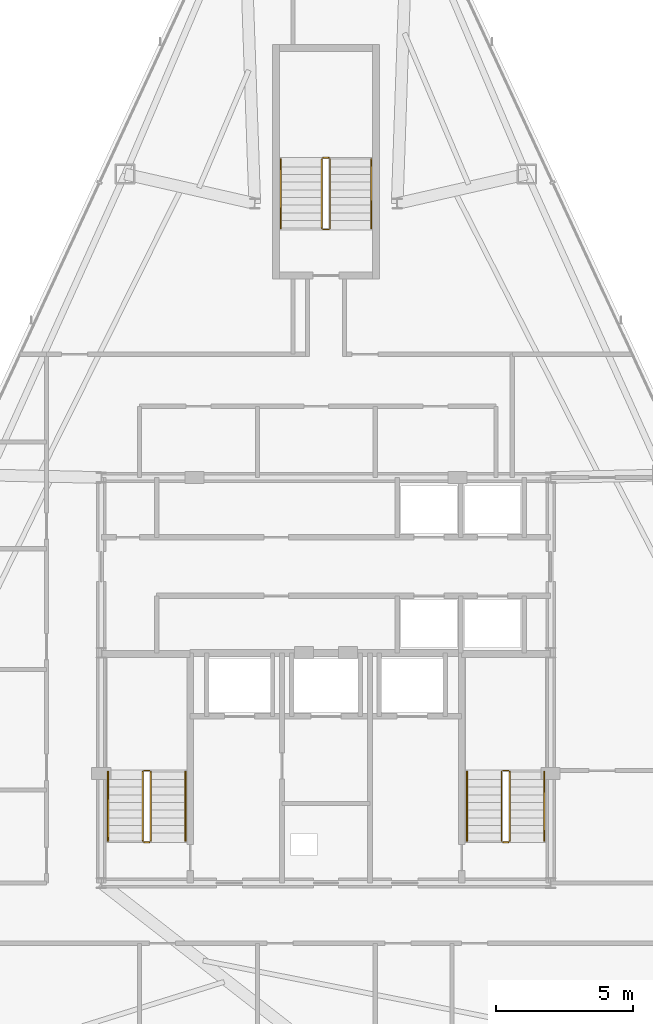
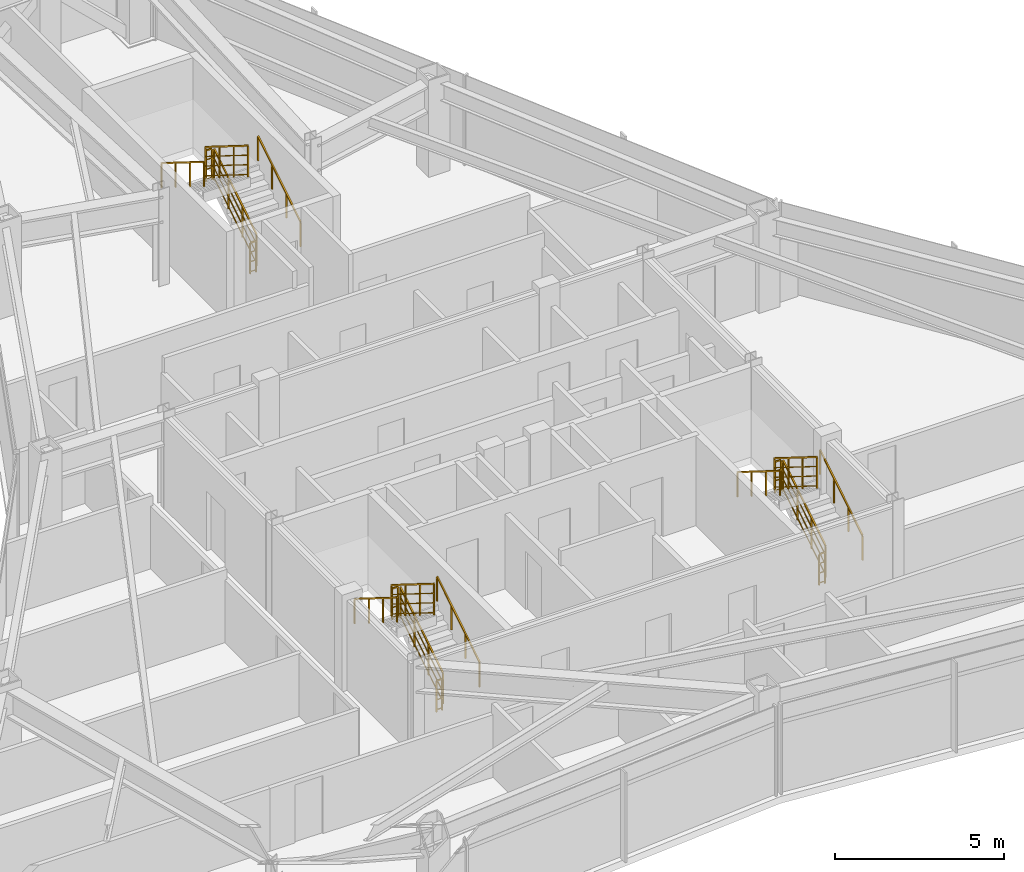
# One storey, part 12 of 12: 18 railings.
"""IFC4 building model written with IfcOpenShell, lengths in metres."""

from ifc_helpers import new_model, si_unit, direction, frame, origin, origin_2d, place, context, subcontext, project, spatial, rectangle, extrude, material, type_object, element, save


model = new_model("IFC4")

# Units and contexts
model_context = context("Model", 3, precision=1e-05, world=origin(), true_north=direction((0.0, 1.0)))
body_context = subcontext(model_context, "Body", "Model", "MODEL_VIEW")
ifc_project = project(units=[si_unit("LENGTHUNIT", "METRE"), si_unit("AREAUNIT", "SQUARE_METRE"), si_unit("VOLUMEUNIT", "CUBIC_METRE"), si_unit("PLANEANGLEUNIT", "RADIAN"), si_unit("MASSUNIT", "GRAM", prefix="KILO")], contexts=[model_context])

# Site, building, storey
site_placement = place(None, origin())
site = spatial("IfcSite", under=ifc_project, at=site_placement, CompositionType="ELEMENT")
building_placement = place(site_placement, origin())
building = spatial("IfcBuilding", under=site, at=building_placement, Name="Varakhsha Concourse Tower", CompositionType="ELEMENT")
storey_placement = place(building_placement, frame((0.0, 0.0, 239.89990234375)))
storey = spatial("IfcBuildingStorey", under=building, at=storey_placement, Name="L68", CompositionType="ELEMENT", Elevation=239.89990234375)

# Railings
ifc_material = material(Name="Brushed Austenitic Stainless Steel AISI 316", Category="steel")
railing_type_1 = type_object("IfcRailingType", Name="RL-STAIR-GUARD-1100", PredefinedType="GUARDRAIL", material=ifc_material)
railing_1_placement = place(storey_placement, frame((33.610107421875, 17.93994140625, 0.175048828125)))
element("IfcRailing", 1, at=railing_1_placement, inside=storey, type_object=railing_type_1, Name="L68 ST1 stair guard 1", PredefinedType="GUARDRAIL", context=body_context, shape_type="SweptSolid", body=[
    extrude(rectangle(XDim=0.048095703125, YDim=0.048095703125, at=origin_2d()), frame((0.0, 0.0, 1.1259765625), z_axis=(0.0, 0.848007534815, 0.529984170421), x_axis=(-1.0, 0.0, 0.0)), (0.0, 0.0, 1.0), 2.9716796875),
    extrude(rectangle(XDim=0.028076171875, YDim=0.028076171875, at=origin_2d()), frame((0.0, 0.0, 0.080078125), z_axis=(0.0, 0.848007534815, 0.529984170421), x_axis=(-1.0, 0.0, 0.0)), (0.0, 0.0, 1.0), 2.9716796875),
    extrude(rectangle(XDim=0.028076171875, YDim=0.028076171875, at=origin_2d()), frame((0.0, 0.0, 0.43701171875), z_axis=(0.0, 0.848007534815, 0.529984170421), x_axis=(-1.0, 0.0, 0.0)), (0.0, 0.0, 1.0), 2.9716796875),
    extrude(rectangle(XDim=0.028076171875, YDim=0.028076171875, at=origin_2d()), frame((0.0, 0.0, 0.781982421875), z_axis=(0.0, 0.848007534815, 0.529984170421), x_axis=(-1.0, 0.0, 0.0)), (0.0, 0.0, 1.0), 2.9716796875),
    extrude(rectangle(XDim=0.0419921875, YDim=0.0419921875, at=origin_2d()), origin(), (0.0, 0.0, 1.0), 1.101806640625),
    extrude(rectangle(XDim=0.0419921875, YDim=0.0419921875, at=origin_2d()), frame((0.0, 0.840087890625, 0.52490234375)), (0.0, 0.0, 1.0), 1.101806640625),
    extrude(rectangle(XDim=0.0419921875, YDim=0.0419921875, at=origin_2d()), frame((0.0, 1.679931640625, 1.050048828125)), (0.0, 0.0, 1.0), 1.101806640625),
    extrude(rectangle(XDim=0.0419921875, YDim=0.0419921875, at=origin_2d()), frame((0.0, 2.52001953125, 1.574951171875)), (0.0, 0.0, 1.0), 1.101806640625),
])
railing_2_placement = place(storey_placement, frame((33.56005859375, 20.510009765625, 1.75)))
element("IfcRailing", 2, at=railing_2_placement, inside=storey, type_object=railing_type_1, Name="L68 ST1 stair guard 2", PredefinedType="GUARDRAIL", context=body_context, shape_type="SweptSolid", body=[
    extrude(rectangle(XDim=0.048095703125, YDim=0.048095703125, at=origin_2d()), frame((0.0, 0.0, 1.1259765625), z_axis=(-1.0, 0.0, 0.0), x_axis=(0.0, -1.0, 0.0)), (0.0, 0.0, 1.0), 0.199951171875),
    extrude(rectangle(XDim=0.028076171875, YDim=0.028076171875, at=origin_2d()), frame((0.0, 0.0, 0.080078125), z_axis=(-1.0, 0.0, 0.0), x_axis=(0.0, -1.0, 0.0)), (0.0, 0.0, 1.0), 0.199951171875),
    extrude(rectangle(XDim=0.028076171875, YDim=0.028076171875, at=origin_2d()), frame((0.0, 0.0, 0.43701171875), z_axis=(-1.0, 0.0, 0.0), x_axis=(0.0, -1.0, 0.0)), (0.0, 0.0, 1.0), 0.199951171875),
    extrude(rectangle(XDim=0.028076171875, YDim=0.028076171875, at=origin_2d()), frame((0.0, 0.0, 0.781982421875), z_axis=(-1.0, 0.0, 0.0), x_axis=(0.0, -1.0, 0.0)), (0.0, 0.0, 1.0), 0.199951171875),
    extrude(rectangle(XDim=0.0419921875, YDim=0.0419921875, at=origin_2d()), origin(), (0.0, 0.0, 1.0), 1.101806640625),
    extrude(rectangle(XDim=0.0419921875, YDim=0.0419921875, at=origin_2d()), frame((-0.199951171875, 0.0, 0.0)), (0.0, 0.0, 1.0), 1.101806640625),
])
railing_3_placement = place(storey_placement, frame((33.31005859375, 20.4599609375, 1.925048828125)))
element("IfcRailing", 3, at=railing_3_placement, inside=storey, type_object=railing_type_1, Name="L68 ST1 stair guard 3", PredefinedType="GUARDRAIL", context=body_context, shape_type="SweptSolid", body=[
    extrude(rectangle(XDim=0.048095703125, YDim=0.048095703125, at=origin_2d()), frame((0.0, 0.0, 1.1259765625), z_axis=(0.0, -0.848007534815, 0.529984170421), x_axis=(1.0, 0.0, 0.0)), (0.0, 0.0, 1.0), 2.9716796875),
    extrude(rectangle(XDim=0.028076171875, YDim=0.028076171875, at=origin_2d()), frame((0.0, 0.0, 0.080078125), z_axis=(0.0, -0.848007534815, 0.529984170421), x_axis=(1.0, 0.0, 0.0)), (0.0, 0.0, 1.0), 2.9716796875),
    extrude(rectangle(XDim=0.028076171875, YDim=0.028076171875, at=origin_2d()), frame((0.0, 0.0, 0.43701171875), z_axis=(0.0, -0.848007534815, 0.529984170421), x_axis=(1.0, 0.0, 0.0)), (0.0, 0.0, 1.0), 2.9716796875),
    extrude(rectangle(XDim=0.028076171875, YDim=0.028076171875, at=origin_2d()), frame((0.0, 0.0, 0.781982421875), z_axis=(0.0, -0.848007534815, 0.529984170421), x_axis=(1.0, 0.0, 0.0)), (0.0, 0.0, 1.0), 2.9716796875),
    extrude(rectangle(XDim=0.0419921875, YDim=0.0419921875, at=origin_2d()), origin(), (0.0, 0.0, 1.0), 1.101806640625),
    extrude(rectangle(XDim=0.0419921875, YDim=0.0419921875, at=origin_2d()), frame((0.0, -0.840087890625, 0.52490234375)), (0.0, 0.0, 1.0), 1.101806640625),
    extrude(rectangle(XDim=0.0419921875, YDim=0.0419921875, at=origin_2d()), frame((0.0, -1.679931640625, 1.050048828125)), (0.0, 0.0, 1.0), 1.101806640625),
    extrude(rectangle(XDim=0.0419921875, YDim=0.0419921875, at=origin_2d()), frame((0.0, -2.52001953125, 1.574951171875)), (0.0, 0.0, 1.0), 1.101806640625),
])
railing_4_placement = place(storey_placement, frame((33.56005859375, 17.889892578125, 0.0)))
element("IfcRailing", 4, at=railing_4_placement, inside=storey, type_object=railing_type_1, Name="L68 ST1 stair guard 4", PredefinedType="GUARDRAIL", context=body_context, shape_type="SweptSolid", body=[
    extrude(rectangle(XDim=0.048095703125, YDim=0.048095703125, at=origin_2d()), frame((0.0, 0.0, 1.1259765625), z_axis=(-1.0, 0.0, 0.0), x_axis=(0.0, -1.0, 0.0)), (0.0, 0.0, 1.0), 0.199951171875),
    extrude(rectangle(XDim=0.028076171875, YDim=0.028076171875, at=origin_2d()), frame((0.0, 0.0, 0.080078125), z_axis=(-1.0, 0.0, 0.0), x_axis=(0.0, -1.0, 0.0)), (0.0, 0.0, 1.0), 0.199951171875),
    extrude(rectangle(XDim=0.028076171875, YDim=0.028076171875, at=origin_2d()), frame((0.0, 0.0, 0.43701171875), z_axis=(-1.0, 0.0, 0.0), x_axis=(0.0, -1.0, 0.0)), (0.0, 0.0, 1.0), 0.199951171875),
    extrude(rectangle(XDim=0.028076171875, YDim=0.028076171875, at=origin_2d()), frame((0.0, 0.0, 0.781982421875), z_axis=(-1.0, 0.0, 0.0), x_axis=(0.0, -1.0, 0.0)), (0.0, 0.0, 1.0), 0.199951171875),
    extrude(rectangle(XDim=0.0419921875, YDim=0.0419921875, at=origin_2d()), origin(), (0.0, 0.0, 1.0), 1.101806640625),
    extrude(rectangle(XDim=0.0419921875, YDim=0.0419921875, at=origin_2d()), frame((-0.199951171875, 0.0, 0.0)), (0.0, 0.0, 1.0), 1.101806640625),
])
railing_5_placement = place(storey_placement, frame((46.7099609375, 17.93994140625, 0.175048828125)))
element("IfcRailing", 5, at=railing_5_placement, inside=storey, type_object=railing_type_1, Name="L68 ST2 stair guard 1", PredefinedType="GUARDRAIL", context=body_context, shape_type="SweptSolid", body=[
    extrude(rectangle(XDim=0.048095703125, YDim=0.048095703125, at=origin_2d()), frame((0.0, 0.0, 1.1259765625), z_axis=(0.0, 0.848007534815, 0.529984170421), x_axis=(-1.0, 0.0, 0.0)), (0.0, 0.0, 1.0), 2.9716796875),
    extrude(rectangle(XDim=0.028076171875, YDim=0.028076171875, at=origin_2d()), frame((0.0, 0.0, 0.080078125), z_axis=(0.0, 0.848007534815, 0.529984170421), x_axis=(-1.0, 0.0, 0.0)), (0.0, 0.0, 1.0), 2.9716796875),
    extrude(rectangle(XDim=0.028076171875, YDim=0.028076171875, at=origin_2d()), frame((0.0, 0.0, 0.43701171875), z_axis=(0.0, 0.848007534815, 0.529984170421), x_axis=(-1.0, 0.0, 0.0)), (0.0, 0.0, 1.0), 2.9716796875),
    extrude(rectangle(XDim=0.028076171875, YDim=0.028076171875, at=origin_2d()), frame((0.0, 0.0, 0.781982421875), z_axis=(0.0, 0.848007534815, 0.529984170421), x_axis=(-1.0, 0.0, 0.0)), (0.0, 0.0, 1.0), 2.9716796875),
    extrude(rectangle(XDim=0.0419921875, YDim=0.0419921875, at=origin_2d()), origin(), (0.0, 0.0, 1.0), 1.101806640625),
    extrude(rectangle(XDim=0.0419921875, YDim=0.0419921875, at=origin_2d()), frame((0.0, 0.840087890625, 0.52490234375)), (0.0, 0.0, 1.0), 1.101806640625),
    extrude(rectangle(XDim=0.0419921875, YDim=0.0419921875, at=origin_2d()), frame((0.0, 1.679931640625, 1.050048828125)), (0.0, 0.0, 1.0), 1.101806640625),
    extrude(rectangle(XDim=0.0419921875, YDim=0.0419921875, at=origin_2d()), frame((0.0, 2.52001953125, 1.574951171875)), (0.0, 0.0, 1.0), 1.101806640625),
])
railing_6_placement = place(storey_placement, frame((46.659912109375, 20.510009765625, 1.75)))
element("IfcRailing", 6, at=railing_6_placement, inside=storey, type_object=railing_type_1, Name="L68 ST2 stair guard 2", PredefinedType="GUARDRAIL", context=body_context, shape_type="SweptSolid", body=[
    extrude(rectangle(XDim=0.048095703125, YDim=0.048095703125, at=origin_2d()), frame((0.0, 0.0, 1.1259765625), z_axis=(-1.0, 0.0, 0.0), x_axis=(0.0, -1.0, 0.0)), (0.0, 0.0, 1.0), 0.199951171875),
    extrude(rectangle(XDim=0.028076171875, YDim=0.028076171875, at=origin_2d()), frame((0.0, 0.0, 0.080078125), z_axis=(-1.0, 0.0, 0.0), x_axis=(0.0, -1.0, 0.0)), (0.0, 0.0, 1.0), 0.199951171875),
    extrude(rectangle(XDim=0.028076171875, YDim=0.028076171875, at=origin_2d()), frame((0.0, 0.0, 0.43701171875), z_axis=(-1.0, 0.0, 0.0), x_axis=(0.0, -1.0, 0.0)), (0.0, 0.0, 1.0), 0.199951171875),
    extrude(rectangle(XDim=0.028076171875, YDim=0.028076171875, at=origin_2d()), frame((0.0, 0.0, 0.781982421875), z_axis=(-1.0, 0.0, 0.0), x_axis=(0.0, -1.0, 0.0)), (0.0, 0.0, 1.0), 0.199951171875),
    extrude(rectangle(XDim=0.0419921875, YDim=0.0419921875, at=origin_2d()), origin(), (0.0, 0.0, 1.0), 1.101806640625),
    extrude(rectangle(XDim=0.0419921875, YDim=0.0419921875, at=origin_2d()), frame((-0.199951171875, 0.0, 0.0)), (0.0, 0.0, 1.0), 1.101806640625),
])
railing_7_placement = place(storey_placement, frame((46.409912109375, 20.4599609375, 1.925048828125)))
element("IfcRailing", 7, at=railing_7_placement, inside=storey, type_object=railing_type_1, Name="L68 ST2 stair guard 3", PredefinedType="GUARDRAIL", context=body_context, shape_type="SweptSolid", body=[
    extrude(rectangle(XDim=0.048095703125, YDim=0.048095703125, at=origin_2d()), frame((0.0, 0.0, 1.1259765625), z_axis=(0.0, -0.848007534815, 0.529984170421), x_axis=(1.0, 0.0, 0.0)), (0.0, 0.0, 1.0), 2.9716796875),
    extrude(rectangle(XDim=0.028076171875, YDim=0.028076171875, at=origin_2d()), frame((0.0, 0.0, 0.080078125), z_axis=(0.0, -0.848007534815, 0.529984170421), x_axis=(1.0, 0.0, 0.0)), (0.0, 0.0, 1.0), 2.9716796875),
    extrude(rectangle(XDim=0.028076171875, YDim=0.028076171875, at=origin_2d()), frame((0.0, 0.0, 0.43701171875), z_axis=(0.0, -0.848007534815, 0.529984170421), x_axis=(1.0, 0.0, 0.0)), (0.0, 0.0, 1.0), 2.9716796875),
    extrude(rectangle(XDim=0.028076171875, YDim=0.028076171875, at=origin_2d()), frame((0.0, 0.0, 0.781982421875), z_axis=(0.0, -0.848007534815, 0.529984170421), x_axis=(1.0, 0.0, 0.0)), (0.0, 0.0, 1.0), 2.9716796875),
    extrude(rectangle(XDim=0.0419921875, YDim=0.0419921875, at=origin_2d()), origin(), (0.0, 0.0, 1.0), 1.101806640625),
    extrude(rectangle(XDim=0.0419921875, YDim=0.0419921875, at=origin_2d()), frame((0.0, -0.840087890625, 0.52490234375)), (0.0, 0.0, 1.0), 1.101806640625),
    extrude(rectangle(XDim=0.0419921875, YDim=0.0419921875, at=origin_2d()), frame((0.0, -1.679931640625, 1.050048828125)), (0.0, 0.0, 1.0), 1.101806640625),
    extrude(rectangle(XDim=0.0419921875, YDim=0.0419921875, at=origin_2d()), frame((0.0, -2.52001953125, 1.574951171875)), (0.0, 0.0, 1.0), 1.101806640625),
])
railing_8_placement = place(storey_placement, frame((46.659912109375, 17.889892578125, 0.0)))
element("IfcRailing", 8, at=railing_8_placement, inside=storey, type_object=railing_type_1, Name="L68 ST2 stair guard 4", PredefinedType="GUARDRAIL", context=body_context, shape_type="SweptSolid", body=[
    extrude(rectangle(XDim=0.048095703125, YDim=0.048095703125, at=origin_2d()), frame((0.0, 0.0, 1.1259765625), z_axis=(-1.0, 0.0, 0.0), x_axis=(0.0, -1.0, 0.0)), (0.0, 0.0, 1.0), 0.199951171875),
    extrude(rectangle(XDim=0.028076171875, YDim=0.028076171875, at=origin_2d()), frame((0.0, 0.0, 0.080078125), z_axis=(-1.0, 0.0, 0.0), x_axis=(0.0, -1.0, 0.0)), (0.0, 0.0, 1.0), 0.199951171875),
    extrude(rectangle(XDim=0.028076171875, YDim=0.028076171875, at=origin_2d()), frame((0.0, 0.0, 0.43701171875), z_axis=(-1.0, 0.0, 0.0), x_axis=(0.0, -1.0, 0.0)), (0.0, 0.0, 1.0), 0.199951171875),
    extrude(rectangle(XDim=0.028076171875, YDim=0.028076171875, at=origin_2d()), frame((0.0, 0.0, 0.781982421875), z_axis=(-1.0, 0.0, 0.0), x_axis=(0.0, -1.0, 0.0)), (0.0, 0.0, 1.0), 0.199951171875),
    extrude(rectangle(XDim=0.0419921875, YDim=0.0419921875, at=origin_2d()), origin(), (0.0, 0.0, 1.0), 1.101806640625),
    extrude(rectangle(XDim=0.0419921875, YDim=0.0419921875, at=origin_2d()), frame((-0.199951171875, 0.0, 0.0)), (0.0, 0.0, 1.0), 1.101806640625),
])
railing_9_placement = place(storey_placement, frame((40.14990234375, 40.300048828125, 0.175048828125)))
element("IfcRailing", 9, at=railing_9_placement, inside=storey, type_object=railing_type_1, Name="L68 ST5 stair guard 1", PredefinedType="GUARDRAIL", context=body_context, shape_type="SweptSolid", body=[
    extrude(rectangle(XDim=0.048095703125, YDim=0.048095703125, at=origin_2d()), frame((0.0, 0.0, 1.1259765625), z_axis=(0.0, 0.848007534815, 0.529984170421), x_axis=(-1.0, 0.0, 0.0)), (0.0, 0.0, 1.0), 2.9716796875),
    extrude(rectangle(XDim=0.028076171875, YDim=0.028076171875, at=origin_2d()), frame((0.0, 0.0, 0.080078125), z_axis=(0.0, 0.848007534815, 0.529984170421), x_axis=(-1.0, 0.0, 0.0)), (0.0, 0.0, 1.0), 2.9716796875),
    extrude(rectangle(XDim=0.028076171875, YDim=0.028076171875, at=origin_2d()), frame((0.0, 0.0, 0.43701171875), z_axis=(0.0, 0.848007534815, 0.529984170421), x_axis=(-1.0, 0.0, 0.0)), (0.0, 0.0, 1.0), 2.9716796875),
    extrude(rectangle(XDim=0.028076171875, YDim=0.028076171875, at=origin_2d()), frame((0.0, 0.0, 0.781982421875), z_axis=(0.0, 0.848007534815, 0.529984170421), x_axis=(-1.0, 0.0, 0.0)), (0.0, 0.0, 1.0), 2.9716796875),
    extrude(rectangle(XDim=0.0419921875, YDim=0.0419921875, at=origin_2d()), origin(), (0.0, 0.0, 1.0), 1.101806640625),
    extrude(rectangle(XDim=0.0419921875, YDim=0.0419921875, at=origin_2d()), frame((0.0, 0.840087890625, 0.52490234375)), (0.0, 0.0, 1.0), 1.101806640625),
    extrude(rectangle(XDim=0.0419921875, YDim=0.0419921875, at=origin_2d()), frame((0.0, 1.679931640625, 1.050048828125)), (0.0, 0.0, 1.0), 1.101806640625),
    extrude(rectangle(XDim=0.0419921875, YDim=0.0419921875, at=origin_2d()), frame((0.0, 2.52001953125, 1.574951171875)), (0.0, 0.0, 1.0), 1.101806640625),
])
railing_10_placement = place(storey_placement, frame((40.10009765625, 42.8701171875, 1.75)))
element("IfcRailing", 10, at=railing_10_placement, inside=storey, type_object=railing_type_1, Name="L68 ST5 stair guard 2", PredefinedType="GUARDRAIL", context=body_context, shape_type="SweptSolid", body=[
    extrude(rectangle(XDim=0.048095703125, YDim=0.048095703125, at=origin_2d()), frame((0.0, 0.0, 1.1259765625), z_axis=(-1.0, 0.0, 0.0), x_axis=(0.0, -1.0, 0.0)), (0.0, 0.0, 1.0), 0.2001953125),
    extrude(rectangle(XDim=0.028076171875, YDim=0.028076171875, at=origin_2d()), frame((0.0, 0.0, 0.080078125), z_axis=(-1.0, 0.0, 0.0), x_axis=(0.0, -1.0, 0.0)), (0.0, 0.0, 1.0), 0.2001953125),
    extrude(rectangle(XDim=0.028076171875, YDim=0.028076171875, at=origin_2d()), frame((0.0, 0.0, 0.43701171875), z_axis=(-1.0, 0.0, 0.0), x_axis=(0.0, -1.0, 0.0)), (0.0, 0.0, 1.0), 0.2001953125),
    extrude(rectangle(XDim=0.028076171875, YDim=0.028076171875, at=origin_2d()), frame((0.0, 0.0, 0.781982421875), z_axis=(-1.0, 0.0, 0.0), x_axis=(0.0, -1.0, 0.0)), (0.0, 0.0, 1.0), 0.2001953125),
    extrude(rectangle(XDim=0.0419921875, YDim=0.0419921875, at=origin_2d()), origin(), (0.0, 0.0, 1.0), 1.101806640625),
    extrude(rectangle(XDim=0.0419921875, YDim=0.0419921875, at=origin_2d()), frame((-0.2001953125, 0.0, 0.0)), (0.0, 0.0, 1.0), 1.101806640625),
])
railing_11_placement = place(storey_placement, frame((39.85009765625, 42.820068359375, 1.925048828125)))
element("IfcRailing", 11, at=railing_11_placement, inside=storey, type_object=railing_type_1, Name="L68 ST5 stair guard 3", PredefinedType="GUARDRAIL", context=body_context, shape_type="SweptSolid", body=[
    extrude(rectangle(XDim=0.048095703125, YDim=0.048095703125, at=origin_2d()), frame((0.0, 0.0, 1.1259765625), z_axis=(0.0, -0.848007534815, 0.529984170421), x_axis=(1.0, 0.0, 0.0)), (0.0, 0.0, 1.0), 2.9716796875),
    extrude(rectangle(XDim=0.028076171875, YDim=0.028076171875, at=origin_2d()), frame((0.0, 0.0, 0.080078125), z_axis=(0.0, -0.848007534815, 0.529984170421), x_axis=(1.0, 0.0, 0.0)), (0.0, 0.0, 1.0), 2.9716796875),
    extrude(rectangle(XDim=0.028076171875, YDim=0.028076171875, at=origin_2d()), frame((0.0, 0.0, 0.43701171875), z_axis=(0.0, -0.848007534815, 0.529984170421), x_axis=(1.0, 0.0, 0.0)), (0.0, 0.0, 1.0), 2.9716796875),
    extrude(rectangle(XDim=0.028076171875, YDim=0.028076171875, at=origin_2d()), frame((0.0, 0.0, 0.781982421875), z_axis=(0.0, -0.848007534815, 0.529984170421), x_axis=(1.0, 0.0, 0.0)), (0.0, 0.0, 1.0), 2.9716796875),
    extrude(rectangle(XDim=0.0419921875, YDim=0.0419921875, at=origin_2d()), origin(), (0.0, 0.0, 1.0), 1.101806640625),
    extrude(rectangle(XDim=0.0419921875, YDim=0.0419921875, at=origin_2d()), frame((0.0, -0.840087890625, 0.52490234375)), (0.0, 0.0, 1.0), 1.101806640625),
    extrude(rectangle(XDim=0.0419921875, YDim=0.0419921875, at=origin_2d()), frame((0.0, -1.679931640625, 1.050048828125)), (0.0, 0.0, 1.0), 1.101806640625),
    extrude(rectangle(XDim=0.0419921875, YDim=0.0419921875, at=origin_2d()), frame((0.0, -2.52001953125, 1.574951171875)), (0.0, 0.0, 1.0), 1.101806640625),
])
railing_12_placement = place(storey_placement, frame((40.10009765625, 40.25, 0.0)))
element("IfcRailing", 12, at=railing_12_placement, inside=storey, type_object=railing_type_1, Name="L68 ST5 stair guard 4", PredefinedType="GUARDRAIL", context=body_context, shape_type="SweptSolid", body=[
    extrude(rectangle(XDim=0.048095703125, YDim=0.048095703125, at=origin_2d()), frame((0.0, 0.0, 1.1259765625), z_axis=(-1.0, 0.0, 0.0), x_axis=(0.0, -1.0, 0.0)), (0.0, 0.0, 1.0), 0.2001953125),
    extrude(rectangle(XDim=0.028076171875, YDim=0.028076171875, at=origin_2d()), frame((0.0, 0.0, 0.080078125), z_axis=(-1.0, 0.0, 0.0), x_axis=(0.0, -1.0, 0.0)), (0.0, 0.0, 1.0), 0.2001953125),
    extrude(rectangle(XDim=0.028076171875, YDim=0.028076171875, at=origin_2d()), frame((0.0, 0.0, 0.43701171875), z_axis=(-1.0, 0.0, 0.0), x_axis=(0.0, -1.0, 0.0)), (0.0, 0.0, 1.0), 0.2001953125),
    extrude(rectangle(XDim=0.028076171875, YDim=0.028076171875, at=origin_2d()), frame((0.0, 0.0, 0.781982421875), z_axis=(-1.0, 0.0, 0.0), x_axis=(0.0, -1.0, 0.0)), (0.0, 0.0, 1.0), 0.2001953125),
    extrude(rectangle(XDim=0.0419921875, YDim=0.0419921875, at=origin_2d()), origin(), (0.0, 0.0, 1.0), 1.101806640625),
    extrude(rectangle(XDim=0.0419921875, YDim=0.0419921875, at=origin_2d()), frame((-0.2001953125, 0.0, 0.0)), (0.0, 0.0, 1.0), 1.101806640625),
])
railing_type_2 = type_object("IfcRailingType", Name="RL-STAIR-RAIL-915", PredefinedType="HANDRAIL", material=ifc_material)
railing_13_placement = place(storey_placement, frame((34.8701171875, 17.93994140625, 0.35009765625)))
element("IfcRailing", 13, at=railing_13_placement, inside=storey, type_object=railing_type_2, Name="L68 ST1 stair handrail 1", PredefinedType="HANDRAIL", context=body_context, shape_type="SweptSolid", body=[
    extrude(rectangle(XDim=0.048095703125, YDim=0.048095703125, at=origin_2d()), frame((0.0, 0.0, 0.89111328125), z_axis=(0.0, 0.848007534815, 0.529984170421), x_axis=(-1.0, 0.0, 0.0)), (0.0, 0.0, 1.0), 2.9716796875),
    extrude(rectangle(XDim=0.0419921875, YDim=0.0419921875, at=origin_2d()), origin(), (0.0, 0.0, 1.0), 0.866943359375),
    extrude(rectangle(XDim=0.0419921875, YDim=0.0419921875, at=origin_2d()), frame((0.0, 0.840087890625, 0.52490234375)), (0.0, 0.0, 1.0), 0.866943359375),
    extrude(rectangle(XDim=0.0419921875, YDim=0.0419921875, at=origin_2d()), frame((0.0, 1.679931640625, 1.050048828125)), (0.0, 0.0, 1.0), 0.866943359375),
    extrude(rectangle(XDim=0.0419921875, YDim=0.0419921875, at=origin_2d()), frame((0.0, 2.52001953125, 1.574951171875)), (0.0, 0.0, 1.0), 0.866943359375),
])
railing_14_placement = place(storey_placement, frame((32.050048828125, 20.4599609375, 2.10009765625)))
element("IfcRailing", 14, at=railing_14_placement, inside=storey, type_object=railing_type_2, Name="L68 ST1 stair handrail 2", PredefinedType="HANDRAIL", context=body_context, shape_type="SweptSolid", body=[
    extrude(rectangle(XDim=0.048095703125, YDim=0.048095703125, at=origin_2d()), frame((0.0, 0.0, 0.89111328125), z_axis=(0.0, -0.848007534815, 0.529984170421), x_axis=(1.0, 0.0, 0.0)), (0.0, 0.0, 1.0), 2.9716796875),
    extrude(rectangle(XDim=0.0419921875, YDim=0.0419921875, at=origin_2d()), origin(), (0.0, 0.0, 1.0), 0.866943359375),
    extrude(rectangle(XDim=0.0419921875, YDim=0.0419921875, at=origin_2d()), frame((0.0, -0.840087890625, 0.52490234375)), (0.0, 0.0, 1.0), 0.866943359375),
    extrude(rectangle(XDim=0.0419921875, YDim=0.0419921875, at=origin_2d()), frame((0.0, -1.679931640625, 1.050048828125)), (0.0, 0.0, 1.0), 0.866943359375),
    extrude(rectangle(XDim=0.0419921875, YDim=0.0419921875, at=origin_2d()), frame((0.0, -2.52001953125, 1.574951171875)), (0.0, 0.0, 1.0), 0.866943359375),
])
railing_15_placement = place(storey_placement, frame((47.969970703125, 17.93994140625, 0.35009765625)))
element("IfcRailing", 15, at=railing_15_placement, inside=storey, type_object=railing_type_2, Name="L68 ST2 stair handrail 1", PredefinedType="HANDRAIL", context=body_context, shape_type="SweptSolid", body=[
    extrude(rectangle(XDim=0.048095703125, YDim=0.048095703125, at=origin_2d()), frame((0.0, 0.0, 0.89111328125), z_axis=(0.0, 0.848007534815, 0.529984170421), x_axis=(-1.0, 0.0, 0.0)), (0.0, 0.0, 1.0), 2.9716796875),
    extrude(rectangle(XDim=0.0419921875, YDim=0.0419921875, at=origin_2d()), origin(), (0.0, 0.0, 1.0), 0.866943359375),
    extrude(rectangle(XDim=0.0419921875, YDim=0.0419921875, at=origin_2d()), frame((0.0, 0.840087890625, 0.52490234375)), (0.0, 0.0, 1.0), 0.866943359375),
    extrude(rectangle(XDim=0.0419921875, YDim=0.0419921875, at=origin_2d()), frame((0.0, 1.679931640625, 1.050048828125)), (0.0, 0.0, 1.0), 0.866943359375),
    extrude(rectangle(XDim=0.0419921875, YDim=0.0419921875, at=origin_2d()), frame((0.0, 2.52001953125, 1.574951171875)), (0.0, 0.0, 1.0), 0.866943359375),
])
railing_16_placement = place(storey_placement, frame((45.14990234375, 20.4599609375, 2.10009765625)))
element("IfcRailing", 16, at=railing_16_placement, inside=storey, type_object=railing_type_2, Name="L68 ST2 stair handrail 2", PredefinedType="HANDRAIL", context=body_context, shape_type="SweptSolid", body=[
    extrude(rectangle(XDim=0.048095703125, YDim=0.048095703125, at=origin_2d()), frame((0.0, 0.0, 0.89111328125), z_axis=(0.0, -0.848007534815, 0.529984170421), x_axis=(1.0, 0.0, 0.0)), (0.0, 0.0, 1.0), 2.9716796875),
    extrude(rectangle(XDim=0.0419921875, YDim=0.0419921875, at=origin_2d()), origin(), (0.0, 0.0, 1.0), 0.866943359375),
    extrude(rectangle(XDim=0.0419921875, YDim=0.0419921875, at=origin_2d()), frame((0.0, -0.840087890625, 0.52490234375)), (0.0, 0.0, 1.0), 0.866943359375),
    extrude(rectangle(XDim=0.0419921875, YDim=0.0419921875, at=origin_2d()), frame((0.0, -1.679931640625, 1.050048828125)), (0.0, 0.0, 1.0), 0.866943359375),
    extrude(rectangle(XDim=0.0419921875, YDim=0.0419921875, at=origin_2d()), frame((0.0, -2.52001953125, 1.574951171875)), (0.0, 0.0, 1.0), 0.866943359375),
])
railing_17_placement = place(storey_placement, frame((41.64990234375, 40.300048828125, 0.35009765625)))
element("IfcRailing", 17, at=railing_17_placement, inside=storey, type_object=railing_type_2, Name="L68 ST5 stair handrail 1", PredefinedType="HANDRAIL", context=body_context, shape_type="SweptSolid", body=[
    extrude(rectangle(XDim=0.048095703125, YDim=0.048095703125, at=origin_2d()), frame((0.0, 0.0, 0.89111328125), z_axis=(0.0, 0.848007534815, 0.529984170421), x_axis=(-1.0, 0.0, 0.0)), (0.0, 0.0, 1.0), 2.9716796875),
    extrude(rectangle(XDim=0.0419921875, YDim=0.0419921875, at=origin_2d()), origin(), (0.0, 0.0, 1.0), 0.866943359375),
    extrude(rectangle(XDim=0.0419921875, YDim=0.0419921875, at=origin_2d()), frame((0.0, 0.840087890625, 0.52490234375)), (0.0, 0.0, 1.0), 0.866943359375),
    extrude(rectangle(XDim=0.0419921875, YDim=0.0419921875, at=origin_2d()), frame((0.0, 1.679931640625, 1.050048828125)), (0.0, 0.0, 1.0), 0.866943359375),
    extrude(rectangle(XDim=0.0419921875, YDim=0.0419921875, at=origin_2d()), frame((0.0, 2.52001953125, 1.574951171875)), (0.0, 0.0, 1.0), 0.866943359375),
])
railing_18_placement = place(storey_placement, frame((38.35009765625, 42.820068359375, 2.10009765625)))
element("IfcRailing", 18, at=railing_18_placement, inside=storey, type_object=railing_type_2, Name="L68 ST5 stair handrail 2", PredefinedType="HANDRAIL", context=body_context, shape_type="SweptSolid", body=[
    extrude(rectangle(XDim=0.048095703125, YDim=0.048095703125, at=origin_2d()), frame((0.0, 0.0, 0.89111328125), z_axis=(0.0, -0.848007534815, 0.529984170421), x_axis=(1.0, 0.0, 0.0)), (0.0, 0.0, 1.0), 2.9716796875),
    extrude(rectangle(XDim=0.0419921875, YDim=0.0419921875, at=origin_2d()), origin(), (0.0, 0.0, 1.0), 0.866943359375),
    extrude(rectangle(XDim=0.0419921875, YDim=0.0419921875, at=origin_2d()), frame((0.0, -0.840087890625, 0.52490234375)), (0.0, 0.0, 1.0), 0.866943359375),
    extrude(rectangle(XDim=0.0419921875, YDim=0.0419921875, at=origin_2d()), frame((0.0, -1.679931640625, 1.050048828125)), (0.0, 0.0, 1.0), 0.866943359375),
    extrude(rectangle(XDim=0.0419921875, YDim=0.0419921875, at=origin_2d()), frame((0.0, -2.52001953125, 1.574951171875)), (0.0, 0.0, 1.0), 0.866943359375),
])

save(model, "model.ifc")
